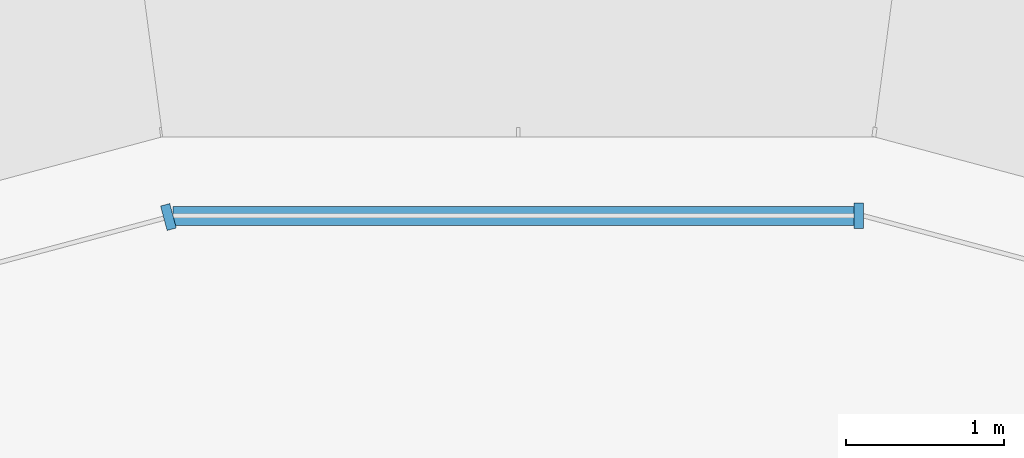
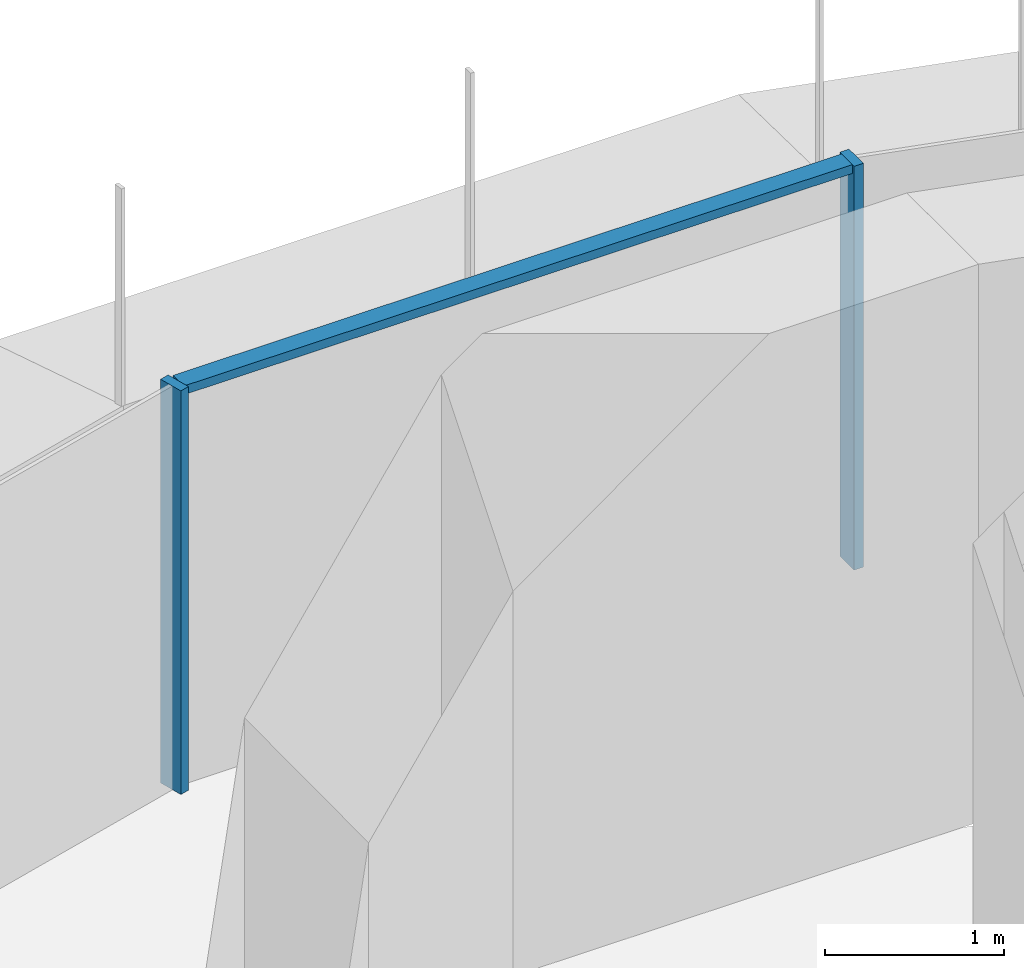
# One storey, part 11 of 21: 3 members, 2 elements without a shape of their own.
"""IFC4 building model written with IfcOpenShell, lengths in metres."""

from ifc_helpers import new_model, si_unit, direction, frame, origin, place, context, subcontext, project, spatial, polyline, outline, extrude, source, transform, mapped, material, type_object, element, aggregate, save


model = new_model("IFC4")

# Units and contexts
model_context = context("Model", 3, precision=1e-05, world=origin(), true_north=direction((0.0, 1.0)))
body_context = subcontext(model_context, "Body", "Model", "MODEL_VIEW")
ifc_project = project(units=[si_unit("LENGTHUNIT", "METRE"), si_unit("AREAUNIT", "SQUARE_METRE"), si_unit("VOLUMEUNIT", "CUBIC_METRE"), si_unit("PLANEANGLEUNIT", "RADIAN"), si_unit("MASSUNIT", "GRAM", prefix="KILO")], contexts=[model_context])

# Site, building, storey
site_placement = place(None, origin())
site = spatial("IfcSite", under=ifc_project, at=site_placement, CompositionType="ELEMENT")
building_placement = place(site_placement, origin())
building = spatial("IfcBuilding", under=site, at=building_placement, Name="Zarbagh Exchange Tower", CompositionType="ELEMENT")
storey_placement = place(building_placement, frame((0.0, 0.0, 128.39990234375)))
storey = spatial("IfcBuildingStorey", under=building, at=storey_placement, Name="L30", CompositionType="ELEMENT", Elevation=128.39990234375)

# Curtain wall, member
ifc_material_1 = material(Name="Anodised aluminium frame and glazing", Category="aluminium")
curtain_wall_type = type_object("IfcCurtainWallType", Name="CWA Ribbon glazing, lower zones", PredefinedType="NOTDEFINED", material=ifc_material_1)
curtain_wall_1_placement = place(storey_placement, origin())
curtain_wall_1 = element("IfcCurtainWall", 1, at=curtain_wall_1_placement, inside=storey, type_object=curtain_wall_type, Name="CWA57 curtain wall", PredefinedType="NOTDEFINED")
ifc_material_2 = material(Name="Anodised aluminium frame", Category="aluminium")
member_type_1 = type_object("IfcMemberType", Name="MUA Mullion, anodised aluminium frame", PredefinedType="MULLION", material=ifc_material_2)
shared_shape_1 = source(origin(), body_context, "Body", "SweptSolid", [
    extrude(outline(polyline([(0.0, -0.080078125), (0.06005859375, -0.080078125), (0.06005859375, 0.080078125), (0.0, 0.080078125), (0.0, -0.080078125)])), origin(), (0.0, 0.0, 1.0), 2.75),
])
placement = place(storey_placement, origin())
member_1 = element("IfcMember", 2, at=placement, type_object=member_type_1, Name="CWA57 mullion 1.1", PredefinedType="MULLION", context=body_context, shape_type="MappedRepresentation", body=[
    mapped(shared_shape_1, transform((2.18408203125, 31.0, 0.0), x_axis=(-1.0, 0.0, 0.0), y_axis=(0.0, -1.0, 0.0), z_axis=(0.0, 0.0, 1.0))),
])

curtain_wall_2_placement = place(storey_placement, origin())
curtain_wall_2 = element("IfcCurtainWall", 3, at=curtain_wall_2_placement, inside=storey, type_object=curtain_wall_type, Name="CWA53 curtain wall", PredefinedType="NOTDEFINED")
member_2 = element("IfcMember", 4, at=placement, type_object=member_type_1, Name="CWA53 mullion 1.1", PredefinedType="MULLION", context=body_context, shape_type="MappedRepresentation", body=[
    mapped(shared_shape_1, transform((-2.18408203125, 31.0, 0.0), x_axis=(-0.965924289636, -0.258824779902, 0.0), y_axis=(0.258824779902, -0.965924289636, 0.0), z_axis=(0.0, 0.0, 1.0))),
])
aggregate(curtain_wall_2, [member_2])

# Member
member_type_2 = type_object("IfcMemberType", Name="TRA Transom, anodised aluminium frame", PredefinedType="USERDEFINED", material=ifc_material_2)
shared_shape_2 = source(origin(), body_context, "Body", "SweptSolid", [
    extrude(outline(polyline([(-0.06005859375, -0.06005859375), (0.0, -0.06005859375), (0.0, 0.06005859375), (-0.06005859375, 0.06005859375), (-0.06005859375, -0.06005859375)])), origin(), (0.0, 0.0, 1.0), 4.308349609375),
])
member_3 = element("IfcMember", 5, at=placement, type_object=member_type_2, Name="CWA57 transom 1.1", ObjectType="TRANSOM", PredefinedType="USERDEFINED", context=body_context, shape_type="MappedRepresentation", body=[
    mapped(shared_shape_2, transform((2.124267578125, 31.0, 2.75), x_axis=(0.0, 0.0, 1.0), y_axis=(0.0, 1.0, 0.0), z_axis=(-1.0, 0.0, 0.0))),
])

aggregate(curtain_wall_1, [member_1, member_3])

save(model, "model.ifc")
